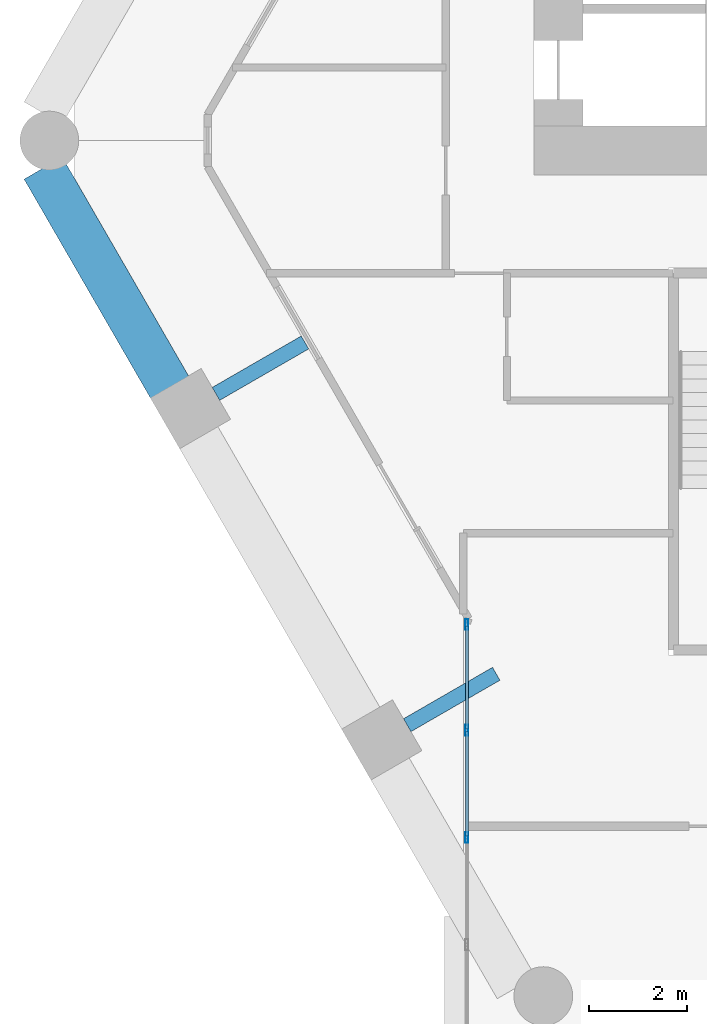
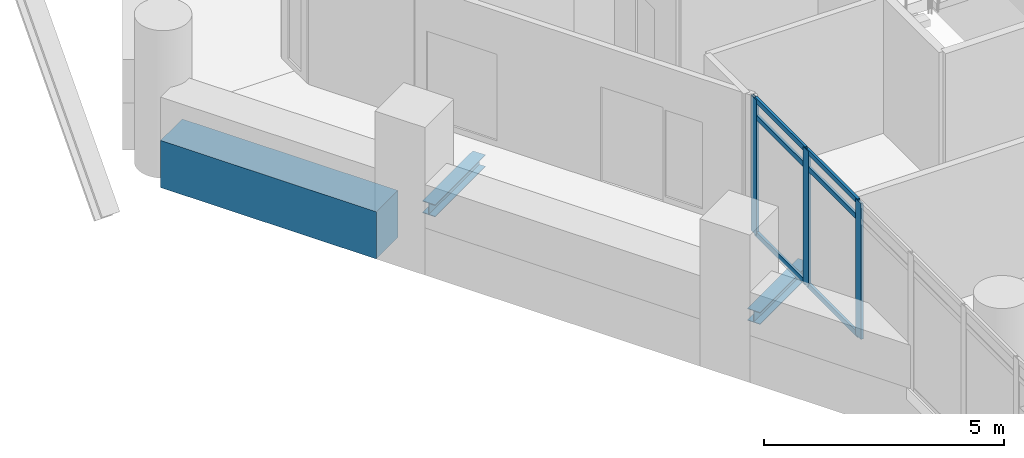
# One storey, part 11 of 37: 9 members, 3 beams, 1 element without a shape of its own.
"""IFC4 building model written with IfcOpenShell, lengths in metres."""

from ifc_helpers import new_model, si_unit, direction, frame, origin, origin_2d, place, context, subcontext, project, spatial, rectangle, hollow_rectangle, i_section, extrude, material, material_profile, profile_set, type_object, element, aggregate, save


model = new_model("IFC4")

# Units and contexts
model_context = context("Model", 3, precision=1e-05, world=origin(), true_north=direction((0.0, 1.0)))
body_context = subcontext(model_context, "Body", "Model", "MODEL_VIEW")
ifc_project = project(units=[si_unit("LENGTHUNIT", "METRE"), si_unit("AREAUNIT", "SQUARE_METRE"), si_unit("VOLUMEUNIT", "CUBIC_METRE"), si_unit("PLANEANGLEUNIT", "RADIAN"), si_unit("MASSUNIT", "GRAM", prefix="KILO")], contexts=[model_context])

# Site, building, storey
site_placement = place(None, origin())
site = spatial("IfcSite", under=ifc_project, at=site_placement, CompositionType="ELEMENT")
building_placement = place(site_placement, origin())
building = spatial("IfcBuilding", under=site, at=building_placement, Name="Ostrander Bayou Hotel Tower", CompositionType="ELEMENT")
storey_placement = place(building_placement, frame((0.0, 0.0, 131.0)))
storey = spatial("IfcBuildingStorey", under=building, at=storey_placement, Name="L32", CompositionType="ELEMENT", Elevation=131.0)

# Curtain wall, members
ifc_material_1 = material(Name="Aluminium and clear glass", Category="aluminium")
curtain_wall_type = type_object("IfcCurtainWallType", Name="CW-BAR glazed wall", PredefinedType="NOTDEFINED", material=ifc_material_1)
curtain_wall_placement = place(storey_placement, origin())
curtain_wall = element("IfcCurtainWall", 1, at=curtain_wall_placement, inside=storey, type_object=curtain_wall_type, Name="CW-BAR L32:SB3S:E", PredefinedType="NOTDEFINED")
ifc_material_2 = material(Name="Aluminium", Category="aluminium")
ifc_material_profile_1 = material_profile(ifc_material_2, hollow_rectangle(XDim=0.06005859375, YDim=0.219970703125, WallThickness=0.00390625, at=origin_2d()))
ifc_profile_set_1 = profile_set([ifc_material_profile_1], Name="Aluminium")
member_type_1 = type_object("IfcMemberType", Name="CW-BR mullion 60 x 220 mm", PredefinedType="MULLION", material=ifc_profile_set_1)
member_1_placement = place(storey_placement, frame((-13.3671875, -10.877197265625, 0.0), z_axis=(0.0, 0.0, 1.0), x_axis=(1.0, 0.0, 0.0)))
member_1 = element("IfcMember", 2, at=member_1_placement, type_object=member_type_1, Name="CW-BAR mullion 1", PredefinedType="MULLION", context=body_context, shape_type="SweptSolid", body=[
    extrude(hollow_rectangle(XDim=0.06005859375, YDim=0.219970703125, WallThickness=0.00390625, at=origin_2d()), origin(), (0.0, 0.0, 1.0), 3.449951171875),
])
member_2_placement = place(storey_placement, frame((-13.3671875, -13.03662109375, 0.0), z_axis=(0.0, 0.0, 1.0), x_axis=(1.0, 0.0, 0.0)))
member_2 = element("IfcMember", 3, at=member_2_placement, type_object=member_type_1, Name="CW-BAR mullion 2", PredefinedType="MULLION", context=body_context, shape_type="SweptSolid", body=[
    extrude(hollow_rectangle(XDim=0.06005859375, YDim=0.219970703125, WallThickness=0.00390625, at=origin_2d()), origin(), (0.0, 0.0, 1.0), 3.449951171875),
])
member_3_placement = place(storey_placement, frame((-13.3671875, -15.22607421875, 0.0), z_axis=(0.0, 0.0, 1.0), x_axis=(1.0, 0.0, 0.0)))
member_3 = element("IfcMember", 4, at=member_3_placement, type_object=member_type_1, Name="CW-BAR mullion 3", PredefinedType="MULLION", context=body_context, shape_type="SweptSolid", body=[
    extrude(hollow_rectangle(XDim=0.06005859375, YDim=0.219970703125, WallThickness=0.00390625, at=origin_2d()), origin(), (0.0, 0.0, 1.0), 3.449951171875),
])
ifc_material_3 = material(Name="Aluminium", Category="aluminium")
ifc_material_profile_2 = material_profile(ifc_material_3, hollow_rectangle(XDim=0.06005859375, YDim=0.1298828125, WallThickness=0.00390625, at=origin_2d()))
ifc_profile_set_2 = profile_set([ifc_material_profile_2], Name="Aluminium")
member_type_2 = type_object("IfcMemberType", Name="CW-BR transom 60 x 130 mm", PredefinedType="USERDEFINED", material=ifc_profile_set_2)
member_4_placement = place(storey_placement, frame((-13.3671875, -10.9072265625, 0.030029296875), z_axis=(0.0, -1.0, 0.0), x_axis=(1.0, 0.0, 0.0)))
member_4 = element("IfcMember", 5, at=member_4_placement, type_object=member_type_2, Name="CW-BAR transom 1.1", ObjectType="TRANSOM", PredefinedType="USERDEFINED", context=body_context, shape_type="SweptSolid", body=[
    extrude(hollow_rectangle(XDim=0.06005859375, YDim=0.1298828125, WallThickness=0.00390625, at=origin_2d()), origin(), (0.0, 0.0, 1.0), 2.099609375),
])
member_5_placement = place(storey_placement, frame((-13.3671875, -10.9072265625, 3.0), z_axis=(0.0, -1.0, 0.0), x_axis=(1.0, 0.0, 0.0)))
member_5 = element("IfcMember", 6, at=member_5_placement, type_object=member_type_2, Name="CW-BAR transom 1.2", ObjectType="TRANSOM", PredefinedType="USERDEFINED", context=body_context, shape_type="SweptSolid", body=[
    extrude(hollow_rectangle(XDim=0.06005859375, YDim=0.1298828125, WallThickness=0.00390625, at=origin_2d()), origin(), (0.0, 0.0, 1.0), 2.099609375),
])
member_6_placement = place(storey_placement, frame((-13.3671875, -10.9072265625, 3.419921875), z_axis=(0.0, -1.0, 0.0), x_axis=(1.0, 0.0, 0.0)))
member_6 = element("IfcMember", 7, at=member_6_placement, type_object=member_type_2, Name="CW-BAR transom 1.3", ObjectType="TRANSOM", PredefinedType="USERDEFINED", context=body_context, shape_type="SweptSolid", body=[
    extrude(hollow_rectangle(XDim=0.06005859375, YDim=0.1298828125, WallThickness=0.00390625, at=origin_2d()), origin(), (0.0, 0.0, 1.0), 2.099609375),
])
member_7_placement = place(storey_placement, frame((-13.3671875, -13.066650390625, 0.030029296875), z_axis=(0.0, -1.0, 0.0), x_axis=(1.0, 0.0, 0.0)))
member_7 = element("IfcMember", 8, at=member_7_placement, type_object=member_type_2, Name="CW-BAR transom 2.1", ObjectType="TRANSOM", PredefinedType="USERDEFINED", context=body_context, shape_type="SweptSolid", body=[
    extrude(hollow_rectangle(XDim=0.06005859375, YDim=0.1298828125, WallThickness=0.00390625, at=origin_2d()), origin(), (0.0, 0.0, 1.0), 2.12939453125),
])
member_8_placement = place(storey_placement, frame((-13.3671875, -13.066650390625, 3.0), z_axis=(0.0, -1.0, 0.0), x_axis=(1.0, 0.0, 0.0)))
member_8 = element("IfcMember", 9, at=member_8_placement, type_object=member_type_2, Name="CW-BAR transom 2.2", ObjectType="TRANSOM", PredefinedType="USERDEFINED", context=body_context, shape_type="SweptSolid", body=[
    extrude(hollow_rectangle(XDim=0.06005859375, YDim=0.1298828125, WallThickness=0.00390625, at=origin_2d()), origin(), (0.0, 0.0, 1.0), 2.12939453125),
])
member_9_placement = place(storey_placement, frame((-13.3671875, -13.066650390625, 3.419921875), z_axis=(0.0, -1.0, 0.0), x_axis=(1.0, 0.0, 0.0)))
member_9 = element("IfcMember", 10, at=member_9_placement, type_object=member_type_2, Name="CW-BAR transom 2.3", ObjectType="TRANSOM", PredefinedType="USERDEFINED", context=body_context, shape_type="SweptSolid", body=[
    extrude(hollow_rectangle(XDim=0.06005859375, YDim=0.1298828125, WallThickness=0.00390625, at=origin_2d()), origin(), (0.0, 0.0, 1.0), 2.12939453125),
])
aggregate(curtain_wall, [member_1, member_2, member_3, member_4, member_5, member_6, member_7, member_8, member_9])

# Beams
ifc_material_4 = material(Name="Steel ASTM A992", Category="steel")
ifc_material_profile_3 = material_profile(ifc_material_4, i_section(OverallWidth=0.3046875, OverallDepth=0.307861328125, WebThickness=0.010009765625, FlangeThickness=0.015380859375, at=origin_2d()))
ifc_profile_set_3 = profile_set([ifc_material_profile_3], Name="Steel ASTM A992")
beam_type_1 = type_object("IfcBeamType", Name="LB1 loggia bracket W12x65", PredefinedType="BEAM", material=ifc_profile_set_3)
for number, where, z_axis, x_axis, name in (
    (11, (-18.494384765625, -6.166748046875, -0.453857421875), (0.866009402589, 0.500027713859, 0.0), (-0.500027713859, 0.866009402589, 0.0), "LB1 L32 SW1"),
    (12, (-14.587646484375, -12.933349609375, -0.453857421875), (0.866009402589, 0.500027713859, 0.0), (-0.500027713859, 0.866009402589, 0.0), "LB1 L32 SW2"),
):
    element("IfcBeam", number, at=place(storey_placement, frame(where, z_axis=z_axis, x_axis=x_axis)), inside=storey, type_object=beam_type_1, Name=name, PredefinedType="BEAM", context=body_context, shape_type="SweptSolid", body=[
        extrude(i_section(OverallWidth=0.3046875, OverallDepth=0.307861328125, WebThickness=0.010009765625, FlangeThickness=0.015380859375, at=origin_2d()), origin(), (0.0, 0.0, 1.0), 2.10009765625),
    ])
ifc_material_5 = material(Name="Concrete f'c 70 MPa", Category="concrete")
ifc_material_profile_4 = material_profile(ifc_material_5, rectangle(XDim=0.89990234375, YDim=1.199951171875, at=origin_2d()))
ifc_profile_set_4 = profile_set([ifc_material_profile_4], Name="Concrete f'c 70 MPa")
beam_type_2 = type_object("IfcBeamType", Name="SP2 spandrel beam 900 x 1200 mm f'c 70 MPa", PredefinedType="SPANDREL", material=ifc_profile_set_4)
beam_placement = place(storey_placement, frame((-22.022216796875, -1.556396484375, -0.60009765625), z_axis=(0.499996813733, -0.866027243369, 0.0), x_axis=(0.866027243369, 0.499996813733, 0.0)))
element("IfcBeam", 13, at=beam_placement, inside=storey, type_object=beam_type_2, Name="SP2 L32 SW-1", PredefinedType="SPANDREL", context=body_context, shape_type="SweptSolid", body=[
    extrude(rectangle(XDim=0.89990234375, YDim=1.199951171875, at=origin_2d()), origin(), (0.0, 0.0, 1.0), 5.1865234375),
])

save(model, "model.ifc")
